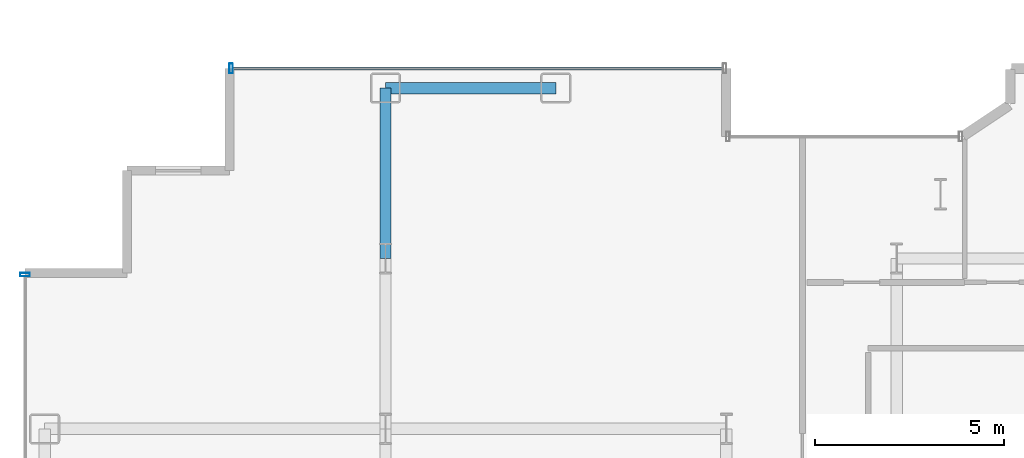
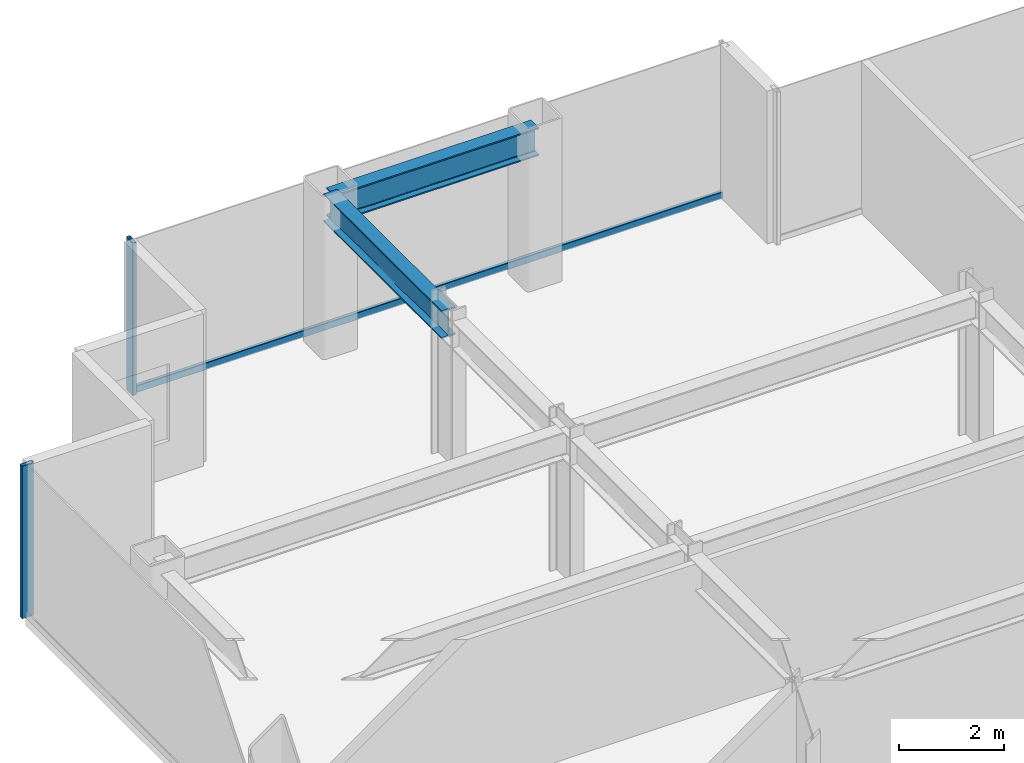
# One storey, part 10 of 23: 3 members, 2 beams, 2 elements without a shape of their own.
"""IFC4 building model written with IfcOpenShell, lengths in metres."""

from ifc_helpers import new_model, si_unit, direction, frame, origin, origin_2d, place, context, subcontext, project, spatial, hollow_rectangle, i_section, extrude, source, transform, mapped, material, layer, layer_set, material_profile, profile_set, type_object, element, aggregate, save


model = new_model("IFC4")

# Units and contexts
model_context = context("Model", 3, precision=1e-05, world=origin(), true_north=direction((0.0, 1.0)))
body_context = subcontext(model_context, "Body", "Model", "MODEL_VIEW")
ifc_project = project(units=[si_unit("LENGTHUNIT", "METRE"), si_unit("AREAUNIT", "SQUARE_METRE"), si_unit("VOLUMEUNIT", "CUBIC_METRE"), si_unit("PLANEANGLEUNIT", "RADIAN"), si_unit("MASSUNIT", "GRAM", prefix="KILO")], contexts=[model_context])

# Site, building, storey
site_placement = place(None, origin())
site = spatial("IfcSite", under=ifc_project, at=site_placement, CompositionType="ELEMENT")
building_placement = place(site_placement, origin())
building = spatial("IfcBuilding", under=site, at=building_placement, Name="Nefas-Gora Pilgrimage Tower", CompositionType="ELEMENT")
storey_placement = place(building_placement, frame((0.0, 0.0, 167.800048828125)))
storey = spatial("IfcBuildingStorey", under=building, at=storey_placement, Name="L41", CompositionType="ELEMENT", Elevation=167.800048828125)

# Beams
ifc_material_1 = material(Name="Steel S355", Category="steel")
ifc_material_profile_1 = material_profile(ifc_material_1, i_section(OverallWidth=0.300048828125, OverallDepth=0.64990234375, WebThickness=0.01611328125, FlangeThickness=0.031005859375, FilletRadius=0.027099609375, at=origin_2d()), Name="HEB 650")
ifc_profile_set_1 = profile_set([ifc_material_profile_1], Name="Steel S355")
beam_type_1 = type_object("IfcBeamType", Name="BM-SPN-HEB500", PredefinedType="SPANDREL", material=ifc_profile_set_1)
shared_shape_1 = source(origin(), body_context, "Body", "SweptSolid", [
    extrude(i_section(OverallWidth=0.300048828125, OverallDepth=0.64990234375, WebThickness=0.01611328125, FlangeThickness=0.031005859375, FilletRadius=0.027099609375, at=origin_2d()), origin(), (0.0, 0.0, 1.0), 4.5),
])
beam_1_placement = place(storey_placement, frame((-24.75, 22.5, 3.224853515625), z_axis=(1.0, 0.0, 0.0), x_axis=(0.0, 1.0, 0.0)))
element("IfcBeam", 1, at=beam_1_placement, inside=storey, type_object=beam_type_1, Name="L41 SP-02 beam", PredefinedType="SPANDREL", context=body_context, shape_type="MappedRepresentation", body=[
    mapped(shared_shape_1, transform((0.0, 0.0, 0.0), x_axis=(1.0, 0.0, 0.0), y_axis=(0.0, 1.0, 0.0), z_axis=(0.0, 0.0, 1.0), scale=1.0)),
])
ifc_material_profile_2 = material_profile(ifc_material_1, i_section(OverallWidth=0.300048828125, OverallDepth=0.64990234375, WebThickness=0.01611328125, FlangeThickness=0.031005859375, FilletRadius=0.027099609375, at=origin_2d()), Name="HEB 650")
ifc_profile_set_2 = profile_set([ifc_material_profile_2], Name="Steel S355")
beam_type_2 = type_object("IfcBeamType", Name="BM-GIR-HEB650", PredefinedType="BEAM", material=ifc_profile_set_2)
shared_shape_2 = source(origin(), body_context, "Body", "SweptSolid", [
    extrude(i_section(OverallWidth=0.300048828125, OverallDepth=0.64990234375, WebThickness=0.01611328125, FlangeThickness=0.031005859375, FilletRadius=0.027099609375, at=origin_2d()), origin(), (0.0, 0.0, 1.0), 4.5),
])
beam_2_placement = place(storey_placement, frame((-24.75, 18.0, 3.224853515625), z_axis=(0.0, 1.0, 0.0), x_axis=(-1.0, 0.0, 0.0)))
element("IfcBeam", 2, at=beam_2_placement, inside=storey, type_object=beam_type_2, Name="L41 G-03 beam", PredefinedType="BEAM", context=body_context, shape_type="MappedRepresentation", body=[
    mapped(shared_shape_2, transform((0.0, 0.0, 0.0), x_axis=(1.0, 0.0, 0.0), y_axis=(0.0, 1.0, 0.0), z_axis=(0.0, 0.0, 1.0), scale=1.0)),
])

# Curtain wall, member
ifc_material_2 = material(Name="Dark ceramic-fritted solar-control aluminium-glass curtain wall", Category="aluminium")
ifc_layer = layer(ifc_material_2, 0.219970703125)
ifc_layer_set = layer_set([ifc_layer], Name="Dark ceramic-fritted solar-control aluminium-glass curtain wall")
curtain_wall_type = type_object("IfcCurtainWallType", Name="CW-SYS-3", PredefinedType="NOTDEFINED", material=ifc_layer_set)
curtain_wall_1_placement = place(storey_placement, origin())
curtain_wall_1 = element("IfcCurtainWall", 3, at=curtain_wall_1_placement, inside=storey, type_object=curtain_wall_type, Name="L41 Unitised Curtain Wall CW3", PredefinedType="NOTDEFINED")
ifc_material_3 = material(Name="Anodised architectural aluminium", Category="aluminium")
ifc_material_profile_3 = material_profile(ifc_material_3, hollow_rectangle(XDim=0.090087890625, YDim=0.260009765625, WallThickness=0.006103515625, InnerFilletRadius=0.006103515625, OuterFilletRadius=0.011962890625, at=origin_2d()), Name="ALU MULLION 90x260")
ifc_profile_set_3 = profile_set([ifc_material_profile_3], Name="Anodised architectural aluminium")
member_type_1 = type_object("IfcMemberType", Name="CWM-MUL-3", PredefinedType="MULLION", material=ifc_profile_set_3)
shared_shape_3 = source(origin(), body_context, "Body", "SweptSolid", [
    extrude(hollow_rectangle(XDim=0.090087890625, YDim=0.260009765625, WallThickness=0.006103515625, InnerFilletRadius=0.006103515625, OuterFilletRadius=0.011962890625, at=origin_2d()), origin(), (0.0, 0.0, 1.0), 3.550048828125),
])
member_1_placement = place(storey_placement, frame((-28.824951171875, 23.02001953125, 0.0), z_axis=(0.0, 0.0, 1.0), x_axis=(-1.0, 0.0, 0.0)))
member_1 = element("IfcMember", 4, at=member_1_placement, type_object=member_type_1, Name="CW3 Mullion 2", PredefinedType="MULLION", context=body_context, shape_type="MappedRepresentation", body=[
    mapped(shared_shape_3, transform((0.0, 0.0, 0.0), x_axis=(1.0, 0.0, 0.0), y_axis=(0.0, 1.0, 0.0), z_axis=(0.0, 0.0, 1.0), scale=1.0)),
])

curtain_wall_2_placement = place(storey_placement, origin())
curtain_wall_2 = element("IfcCurtainWall", 5, at=curtain_wall_2_placement, inside=storey, type_object=curtain_wall_type, Name="L41 Unitised Curtain Wall CW3", PredefinedType="NOTDEFINED")
member_2_placement = place(storey_placement, frame((-34.27001953125, 17.574951171875, 0.0), z_axis=(0.0, 0.0, 1.0), x_axis=(0.0, -1.0, 0.0)))
member_2 = element("IfcMember", 6, at=member_2_placement, type_object=member_type_1, Name="CW3 Mullion 1", PredefinedType="MULLION", context=body_context, shape_type="MappedRepresentation", body=[
    mapped(shared_shape_3, transform((0.0, 0.0, 0.0), x_axis=(1.0, 0.0, 0.0), y_axis=(0.0, 1.0, 0.0), z_axis=(0.0, 0.0, 1.0), scale=1.0)),
])
aggregate(curtain_wall_2, [member_2])

# Member
ifc_material_profile_4 = material_profile(ifc_material_3, hollow_rectangle(XDim=0.080078125, YDim=0.159912109375, WallThickness=0.00439453125, InnerFilletRadius=0.00439453125, OuterFilletRadius=0.009033203125, at=origin_2d()), Name="ALU TRANSOM 80x160")
ifc_profile_set_4 = profile_set([ifc_material_profile_4], Name="Anodised architectural aluminium")
member_type_2 = type_object("IfcMemberType", Name="CWM-TRN-3", PredefinedType="USERDEFINED", material=ifc_profile_set_4)
shared_shape_4 = source(origin(), body_context, "Body", "SweptSolid", [
    extrude(hollow_rectangle(XDim=0.080078125, YDim=0.159912109375, WallThickness=0.00439453125, InnerFilletRadius=0.00439453125, OuterFilletRadius=0.009033203125, at=origin_2d()), origin(), (0.0, 0.0, 1.0), 12.93994140625),
])
member_3_placement = place(storey_placement, frame((-15.840087890625, 23.02001953125, 0.050048828125), z_axis=(-1.0, 0.0, 0.0), x_axis=(0.0, -1.0, 0.0)))
member_3 = element("IfcMember", 7, at=member_3_placement, type_object=member_type_2, Name="CW3 Spandrel Transom", ObjectType="TRANSOM", PredefinedType="USERDEFINED", context=body_context, shape_type="MappedRepresentation", body=[
    mapped(shared_shape_4, transform((0.0, 0.0, 0.0), x_axis=(1.0, 0.0, 0.0), y_axis=(0.0, 1.0, 0.0), z_axis=(0.0, 0.0, 1.0), scale=1.0)),
])

aggregate(curtain_wall_1, [member_1, member_3])

save(model, "model.ifc")
